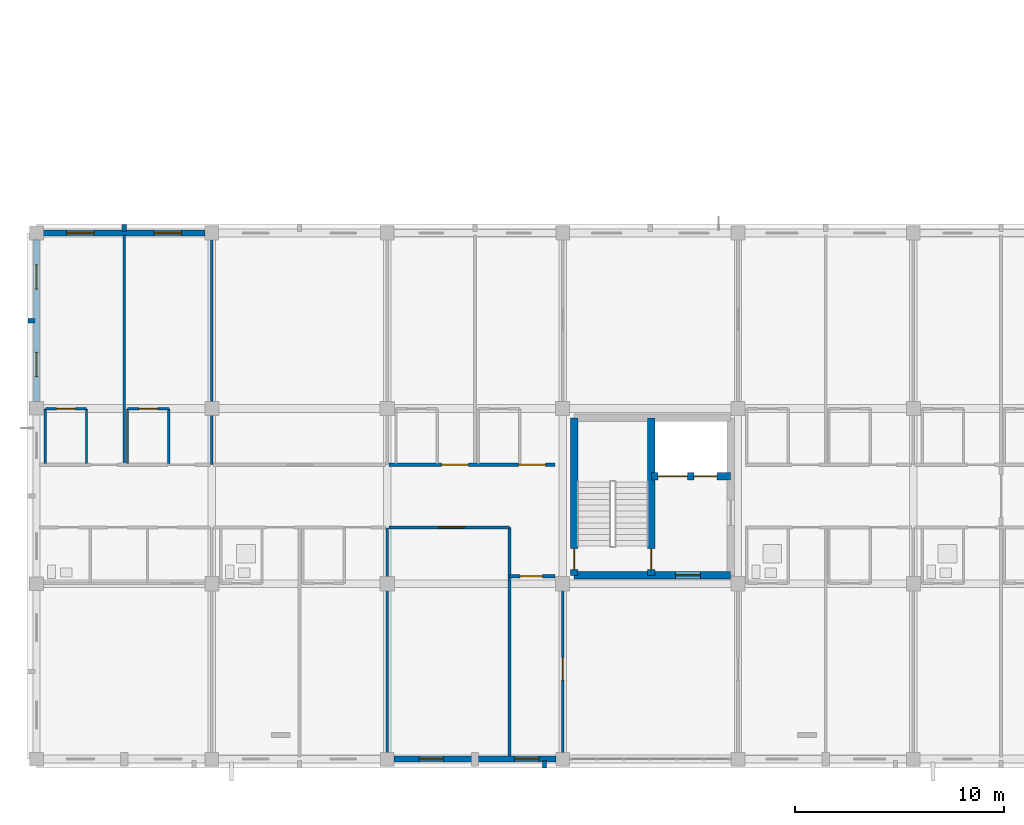
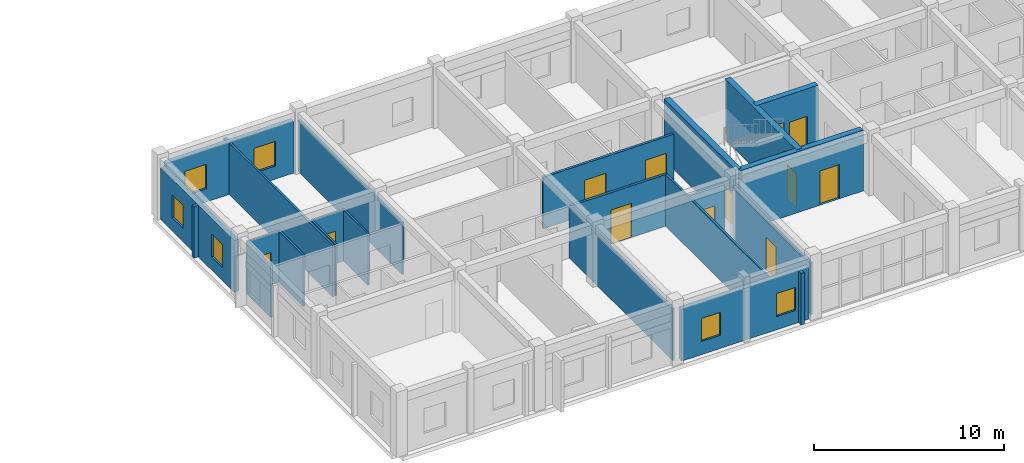
# One storey, part 60 of 90: 24 walls, 12 doors, 6 windows, 18 openings.
"""IFC4 building model written with IfcOpenShell, lengths in metres."""

from ifc_helpers import new_model, si_unit, direction, frame, frame_2d, origin, place, context, subcontext, project, spatial, rectangle, extrude, material, layer, layer_set, type_object, element, fill, save


model = new_model("IFC4")

# Units and contexts
model_context = context("Model", 3, precision=1e-05, world=origin(), true_north=direction((0.0, 1.0)))
body_context = subcontext(model_context, "Body", "Model", "MODEL_VIEW")
ifc_project = project(units=[si_unit("LENGTHUNIT", "METRE"), si_unit("AREAUNIT", "SQUARE_METRE"), si_unit("VOLUMEUNIT", "CUBIC_METRE"), si_unit("PLANEANGLEUNIT", "RADIAN"), si_unit("MASSUNIT", "GRAM", prefix="KILO")], contexts=[model_context])

# Site, building, storey
site_placement = place(None, origin())
site = spatial("IfcSite", under=ifc_project, at=site_placement, CompositionType="ELEMENT")
building_placement = place(site_placement, origin())
building = spatial("IfcBuilding", under=site, at=building_placement, Name="Trelvath General Hospital", CompositionType="ELEMENT")
storey_placement = place(building_placement, frame((0.0, 0.0, 20.39990234375)))
storey = spatial("IfcBuildingStorey", under=building, at=storey_placement, Name="L05", CompositionType="ELEMENT", Elevation=20.39990234375)

# Walls
ifc_material_1 = material(Name="Precast concrete C40/50", Category="concrete")
ifc_layer_1 = layer(ifc_material_1, 0.199951171875)
ifc_layer_set_1 = layer_set([ifc_layer_1], Name="Precast concrete C40/50")
wall_type_1 = type_object("IfcWallType", Name="BriseSoleilRib 200", PredefinedType="ELEMENTEDWALL", material=ifc_layer_set_1)
for number, where, z_axis, x_axis, name in (
    (1, (21.0, 25.27490234375, 0.0), (0.0, 0.0, 1.0), (0.0, 1.0, 0.0), "Precast Concrete Brise-Soleil Rib Fin L05-360"),
    (2, (16.72509765625, 21.0, 0.0), (0.0, 0.0, 1.0), (-1.0, 0.0, 0.0), "Precast Concrete Brise-Soleil Rib Fin L05-361"),
    (3, (41.13671875, -0.074951171875, 0.0), (0.0, 0.0, 1.0), (0.0, -1.0, 0.0), "Precast Concrete Brise-Soleil Rib Fin L05-364"),
):
    element("IfcWall", number, at=place(storey_placement, frame(where, z_axis=z_axis, x_axis=x_axis)), inside=storey, type_object=wall_type_1, Name=name, PredefinedType="ELEMENTEDWALL", context=body_context, shape_type="SweptSolid", body=[
        extrude(rectangle(XDim=0.340087890625, YDim=0.199951171875, at=frame_2d((0.169921875, 0.0))), origin(), (0.0, 0.0, 1.0), 3.320068359375),
    ])

# Wall, opening, door
ifc_material_2 = material(Name="Gypsum acoustic steel-stud partition", Category="steel")
ifc_layer_2 = layer(ifc_material_2, 0.14990234375)
ifc_layer_set_2 = layer_set([ifc_layer_2], Name="Gypsum acoustic steel-stud partition")
wall_type_2 = type_object("IfcWallType", Name="ClinicalPartition 150", PredefinedType="PARTITIONING", material=ifc_layer_set_2)
wall_1_placement = place(storey_placement, frame((33.679931640625, 11.10009765625, 0.0), z_axis=(0.0, 0.0, 1.0), x_axis=(1.0, 0.0, 0.0)))
wall_1 = element("IfcWall", 4, at=wall_1_placement, inside=storey, type_object=wall_type_2, Name="Nurse Station Partition L05-1744", PredefinedType="PARTITIONING", context=body_context, shape_type="SweptSolid", body=[
    extrude(rectangle(XDim=5.780029296875, YDim=0.14990234375, at=frame_2d((2.89013671875, 0.0))), origin(), (0.0, 0.0, 1.0), 3.320068359375),
])
opening_1_placement = place(wall_1_placement, frame((2.3798828125, 0.0, 0.0)))
opening_1 = element("IfcOpeningElement", 5, at=opening_1_placement, cuts=wall_1, Name="Opening D-5-1162", PredefinedType="OPENING", context=body_context, shape_type="SweptSolid", body=[
    extrude(rectangle(XDim=1.25, YDim=2.199951171875, at=frame_2d((0.625, 1.10009765625))), frame((0.0, 0.0849609375, 0.0), z_axis=(0.0, -1.0, 0.0), x_axis=(1.0, 0.0, 0.0)), (0.0, 0.0, 1.0), 0.169921875),
])
ifc_material_3 = material(Name="Acoustic hospital timber leaf", Category="wood")
door_type_1 = type_object("IfcDoorType", Name="Door Treatment 1250x2200", OperationType="NOTDEFINED", PredefinedType="DOOR", material=ifc_material_3)
door_1_placement = place(opening_1_placement, origin())
door_1 = element("IfcDoor", 6, at=door_1_placement, inside=storey, type_object=door_type_1, Name="Nurse Station Door L05-1162", OperationType="SINGLE_SWING_LEFT", OverallHeight=2.199951171875, OverallWidth=1.25, PredefinedType="DOOR", context=body_context, shape_type="SweptSolid", body=[
    extrude(rectangle(XDim=1.25, YDim=2.199951171875, at=frame_2d((0.625, 1.10009765625))), frame((0.0, 0.02490234375, 0.0), z_axis=(0.0, -1.0, 0.0), x_axis=(1.0, 0.0, 0.0)), (0.0, 0.0, 1.0), 0.050048828125),
])
fill(opening_1, door_1)

wall_2_placement = place(storey_placement, frame((39.4599609375, 8.760009765625, 0.0), z_axis=(0.0, 0.0, 1.0), x_axis=(1.0, 0.0, 0.0)))
wall_2 = element("IfcWall", 7, at=wall_2_placement, inside=storey, type_object=wall_type_2, Name="Clean Utility Partition L05-1746", PredefinedType="PARTITIONING", context=body_context, shape_type="SweptSolid", body=[
    extrude(rectangle(XDim=2.179931640625, YDim=0.14990234375, at=frame_2d((1.08984375, 0.0))), origin(), (0.0, 0.0, 1.0), 3.320068359375),
])
opening_2_placement = place(wall_2_placement, frame((0.5, 0.0, 0.0)))
opening_2 = element("IfcOpeningElement", 8, at=opening_2_placement, cuts=wall_2, Name="Opening D-5-1163", PredefinedType="OPENING", context=body_context, shape_type="SweptSolid", body=[
    extrude(rectangle(XDim=1.080078125, YDim=2.14990234375, at=frame_2d((0.5400390625, 1.074951171875))), frame((0.0, 0.0849609375, 0.0), z_axis=(0.0, -1.0, 0.0), x_axis=(1.0, 0.0, 0.0)), (0.0, 0.0, 1.0), 0.169921875),
])
ifc_material_4 = material(Name="Acoustic hospital timber leaf", Category="wood")
door_type_2 = type_object("IfcDoorType", Name="Door CleanSupply 1080x2150", OperationType="NOTDEFINED", PredefinedType="DOOR", material=ifc_material_4)
door_2_placement = place(opening_2_placement, origin())
door_2 = element("IfcDoor", 9, at=door_2_placement, inside=storey, type_object=door_type_2, Name="Clean Utility Door L05-1163", OperationType="SINGLE_SWING_RIGHT", OverallHeight=2.14990234375, OverallWidth=1.080078125, PredefinedType="DOOR", context=body_context, shape_type="SweptSolid", body=[
    extrude(rectangle(XDim=1.080078125, YDim=2.14990234375, at=frame_2d((0.5400390625, 1.074951171875))), frame((0.0, 0.02490234375, 0.0), z_axis=(0.0, -1.0, 0.0), x_axis=(1.0, 0.0, 0.0)), (0.0, 0.0, 1.0), 0.050048828125),
])
fill(opening_2, door_2)

# Wall, openings, doors
wall_3_placement = place(storey_placement, frame((41.639892578125, 14.10009765625, 0.0), z_axis=(0.0, 0.0, 1.0), x_axis=(-1.0, 0.0, 0.0)))
wall_3 = element("IfcWall", 10, at=wall_3_placement, inside=storey, type_object=wall_type_2, Name="Corridor Partition N L05-1747", PredefinedType="PARTITIONING", context=body_context, shape_type="SweptSolid", body=[
    extrude(rectangle(XDim=7.9599609375, YDim=0.14990234375, at=frame_2d((3.97998046875, 0.0))), origin(), (0.0, 0.0, 1.0), 3.320068359375),
])
opening_3_placement = place(wall_3_placement, frame((0.449951171875, 0.0, 0.0)))
opening_3 = element("IfcOpeningElement", 11, at=opening_3_placement, cuts=wall_3, Name="Opening D-5-1164", PredefinedType="OPENING", context=body_context, shape_type="SweptSolid", body=[
    extrude(rectangle(XDim=1.300048828125, YDim=2.25, at=frame_2d((0.64990234375, 1.125))), frame((0.0, 0.0849609375, 0.0), z_axis=(0.0, -1.0, 0.0), x_axis=(1.0, 0.0, 0.0)), (0.0, 0.0, 1.0), 0.169921875),
])
opening_4_placement = place(wall_3_placement, frame((4.14990234375, 0.0, 0.0)))
opening_4 = element("IfcOpeningElement", 12, at=opening_4_placement, cuts=wall_3, Name="Opening D-5-1165", PredefinedType="OPENING", context=body_context, shape_type="SweptSolid", body=[
    extrude(rectangle(XDim=1.300048828125, YDim=2.25, at=frame_2d((0.64990234375, 1.125))), frame((0.0, 0.0849609375, 0.0), z_axis=(0.0, -1.0, 0.0), x_axis=(1.0, 0.0, 0.0)), (0.0, 0.0, 1.0), 0.169921875),
])
ifc_material_5 = material(Name="Hospital bed-leaf timber door", Category="wood")
door_type_3 = type_object("IfcDoorType", Name="Door PatientBed 1300x2250", OperationType="NOTDEFINED", PredefinedType="DOOR", material=ifc_material_5)
door_3_placement = place(opening_3_placement, origin())
door_3 = element("IfcDoor", 13, at=door_3_placement, inside=storey, type_object=door_type_3, Name="Patient Room Door N L05-1164", OperationType="SINGLE_SWING_LEFT", OverallHeight=2.25, OverallWidth=1.300048828125, PredefinedType="DOOR", context=body_context, shape_type="SweptSolid", body=[
    extrude(rectangle(XDim=1.300048828125, YDim=2.25, at=frame_2d((0.64990234375, 1.125))), frame((0.0, 0.02490234375, 0.0), z_axis=(0.0, -1.0, 0.0), x_axis=(1.0, 0.0, 0.0)), (0.0, 0.0, 1.0), 0.050048828125),
])
fill(opening_3, door_3)
door_4_placement = place(opening_4_placement, origin())
door_4 = element("IfcDoor", 14, at=door_4_placement, inside=storey, type_object=door_type_3, Name="Patient Room Door N L05-1165", OperationType="SINGLE_SWING_LEFT", OverallHeight=2.25, OverallWidth=1.300048828125, PredefinedType="DOOR", context=body_context, shape_type="SweptSolid", body=[
    extrude(rectangle(XDim=1.300048828125, YDim=2.25, at=frame_2d((0.64990234375, 1.125))), frame((0.0, 0.02490234375, 0.0), z_axis=(0.0, -1.0, 0.0), x_axis=(1.0, 0.0, 0.0)), (0.0, 0.0, 1.0), 0.050048828125),
])
fill(opening_4, door_4)

# Wall, opening, door
ifc_material_6 = material(Name="Concrete C40/50", Category="concrete")
ifc_layer_3 = layer(ifc_material_6, 0.35009765625)
ifc_layer_set_3 = layer_set([ifc_layer_3], Name="Concrete C40/50")
wall_type_3 = type_object("IfcWallType", Name="CoreShearWall 350", PredefinedType="SHEAR", material=ifc_layer_set_3)
wall_4_placement = place(storey_placement, frame((42.550048828125, 8.800048828125, 0.0), z_axis=(0.0, 0.0, 1.0), x_axis=(1.0, 0.0, 0.0)))
wall_4 = element("IfcWall", 15, at=wall_4_placement, inside=storey, type_object=wall_type_3, Name="Core Shear Wall C4 S L05", PredefinedType="SHEAR", context=body_context, shape_type="SweptSolid", body=[
    extrude(rectangle(XDim=7.5, YDim=0.35009765625, at=frame_2d((3.75, 0.0))), origin(), (0.0, 0.0, 1.0), 3.920166015625),
])
opening_5_placement = place(wall_4_placement, frame((4.85009765625, 0.0, 0.0)))
opening_5 = element("IfcOpeningElement", 16, at=opening_5_placement, cuts=wall_4, Name="Opening FD-LS45", PredefinedType="OPENING", context=body_context, shape_type="SweptSolid", body=[
    extrude(rectangle(XDim=1.199951171875, YDim=2.199951171875, at=frame_2d((0.60009765625, 1.10009765625))), frame((0.0, 0.18505859375, 0.0), z_axis=(0.0, -1.0, 0.0), x_axis=(1.0, 0.0, 0.0)), (0.0, 0.0, 1.0), 0.3701171875),
])
ifc_material_7 = material(Name="Fire-rated steel door", Category="steel")
door_type_4 = type_object("IfcDoorType", Name="Door FireLobby 1200x2200", OperationType="NOTDEFINED", PredefinedType="DOOR", material=ifc_material_7)
door_5_placement = place(opening_5_placement, origin())
door_5 = element("IfcDoor", 17, at=door_5_placement, inside=storey, type_object=door_type_4, Name="Fire Lobby South Door C4 L05", OperationType="SINGLE_SWING_LEFT", OverallHeight=2.199951171875, OverallWidth=1.199951171875, PredefinedType="DOOR", context=body_context, shape_type="SweptSolid", body=[
    extrude(rectangle(XDim=1.199951171875, YDim=2.199951171875, at=frame_2d((0.60009765625, 1.10009765625))), frame((0.0, 0.02490234375, 0.0), z_axis=(0.0, -1.0, 0.0), x_axis=(1.0, 0.0, 0.0)), (0.0, 0.0, 1.0), 0.050048828125),
])
fill(opening_5, door_5)

wall_5_placement = place(storey_placement, frame((42.550048828125, 8.800048828125, 0.0), z_axis=(0.0, 0.0, 1.0), x_axis=(0.0, 1.0, 0.0)))
wall_5 = element("IfcWall", 18, at=wall_5_placement, inside=storey, type_object=wall_type_3, Name="Core Shear Wall C4 W L05", PredefinedType="SHEAR", context=body_context, shape_type="SweptSolid", body=[
    extrude(rectangle(XDim=7.550048828125, YDim=0.35009765625, at=frame_2d((3.77490234375, 0.0))), origin(), (0.0, 0.0, 1.0), 3.920166015625),
])
opening_6_placement = place(wall_5_placement, frame((0.280029296875, 0.0, 0.0)))
opening_6 = element("IfcOpeningElement", 19, at=opening_6_placement, cuts=wall_5, Name="Opening FD-SW45", PredefinedType="OPENING", context=body_context, shape_type="SweptSolid", body=[
    extrude(rectangle(XDim=1.0, YDim=2.14990234375, at=frame_2d((0.5, 1.074951171875))), frame((0.0, 0.18505859375, 0.0), z_axis=(0.0, -1.0, 0.0), x_axis=(1.0, 0.0, 0.0)), (0.0, 0.0, 1.0), 0.3701171875),
])
ifc_material_8 = material(Name="Fire-rated steel door", Category="steel")
door_type_5 = type_object("IfcDoorType", Name="Door FireStair 1100x2150", OperationType="NOTDEFINED", PredefinedType="DOOR", material=ifc_material_8)
door_6_placement = place(opening_6_placement, origin())
door_6 = element("IfcDoor", 20, at=door_6_placement, inside=storey, type_object=door_type_5, Name="West Corridor Stair Door ST4 L05", OperationType="SINGLE_SWING_RIGHT", OverallHeight=2.14990234375, OverallWidth=1.0, PredefinedType="DOOR", context=body_context, shape_type="SweptSolid", body=[
    extrude(rectangle(XDim=1.0, YDim=2.14990234375, at=frame_2d((0.5, 1.074951171875))), frame((0.0, 0.02490234375, 0.0), z_axis=(0.0, -1.0, 0.0), x_axis=(1.0, 0.0, 0.0)), (0.0, 0.0, 1.0), 0.050048828125),
])
fill(opening_6, door_6)

wall_6_placement = place(storey_placement, frame((46.25, 8.800048828125, 0.0), z_axis=(0.0, 0.0, 1.0), x_axis=(0.0, 1.0, 0.0)))
wall_6 = element("IfcWall", 21, at=wall_6_placement, inside=storey, type_object=wall_type_3, Name="Core Shear Wall C4 SPINE L05", PredefinedType="SHEAR", context=body_context, shape_type="SweptSolid", body=[
    extrude(rectangle(XDim=7.550048828125, YDim=0.35009765625, at=frame_2d((3.77490234375, 0.0))), origin(), (0.0, 0.0, 1.0), 3.920166015625),
])
opening_7_placement = place(wall_6_placement, frame((0.280029296875, 0.0, 0.0)))
opening_7 = element("IfcOpeningElement", 22, at=opening_7_placement, cuts=wall_6, Name="Opening FD-S45", PredefinedType="OPENING", context=body_context, shape_type="SweptSolid", body=[
    extrude(rectangle(XDim=1.0, YDim=2.14990234375, at=frame_2d((0.5, 1.074951171875))), frame((0.0, 0.18505859375, 0.0), z_axis=(0.0, -1.0, 0.0), x_axis=(1.0, 0.0, 0.0)), (0.0, 0.0, 1.0), 0.3701171875),
])
door_7_placement = place(opening_7_placement, origin())
door_7 = element("IfcDoor", 23, at=door_7_placement, inside=storey, type_object=door_type_5, Name="Exit Stair Door ST4 L05", OperationType="SINGLE_SWING_LEFT", OverallHeight=2.14990234375, OverallWidth=1.0, PredefinedType="DOOR", context=body_context, shape_type="SweptSolid", body=[
    extrude(rectangle(XDim=1.0, YDim=2.14990234375, at=frame_2d((0.5, 1.074951171875))), frame((0.0, 0.02490234375, 0.0), z_axis=(0.0, -1.0, 0.0), x_axis=(1.0, 0.0, 0.0)), (0.0, 0.0, 1.0), 0.050048828125),
])
fill(opening_7, door_7)

# Wall, openings, doors
wall_7_placement = place(storey_placement, frame((46.25, 13.550048828125, 0.0), z_axis=(0.0, 0.0, 1.0), x_axis=(1.0, 0.0, 0.0)))
wall_7 = element("IfcWall", 24, at=wall_7_placement, inside=storey, type_object=wall_type_3, Name="Core Shear Wall C4 SHAFT L05", PredefinedType="SHEAR", context=body_context, shape_type="SweptSolid", body=[
    extrude(rectangle(XDim=3.800048828125, YDim=0.35009765625, at=frame_2d((1.89990234375, 0.0))), origin(), (0.0, 0.0, 1.0), 3.920166015625),
])
opening_8_placement = place(wall_7_placement, frame((0.320068359375, 0.0, 0.0)))
opening_8 = element("IfcOpeningElement", 25, at=opening_8_placement, cuts=wall_7, Name="Opening LD-BD3-5", PredefinedType="OPENING", context=body_context, shape_type="SweptSolid", body=[
    extrude(rectangle(XDim=1.39990234375, YDim=2.25, at=frame_2d((0.699951171875, 1.125))), frame((0.0, 0.18505859375, 0.0), z_axis=(0.0, -1.0, 0.0), x_axis=(1.0, 0.0, 0.0)), (0.0, 0.0, 1.0), 0.3701171875),
])
opening_9_placement = place(wall_7_placement, frame((2.0400390625, 0.0, 0.0)))
opening_9 = element("IfcOpeningElement", 26, at=opening_9_placement, cuts=wall_7, Name="Opening LD-PA1-5", PredefinedType="OPENING", context=body_context, shape_type="SweptSolid", body=[
    extrude(rectangle(XDim=1.10009765625, YDim=2.14990234375, at=frame_2d((0.550048828125, 1.074951171875))), frame((0.0, 0.18505859375, 0.0), z_axis=(0.0, -1.0, 0.0), x_axis=(1.0, 0.0, 0.0)), (0.0, 0.0, 1.0), 0.3701171875),
])
ifc_material_9 = material(Name="Stainless steel stretcher lift landing door", Category="steel")
door_type_6 = type_object("IfcDoorType", Name="Door LiftBed 1400x2250", OperationType="SLIDING_TO_LEFT", PredefinedType="DOOR", material=ifc_material_9)
door_8_placement = place(opening_8_placement, origin())
door_8 = element("IfcDoor", 27, at=door_8_placement, inside=storey, type_object=door_type_6, Name="Lift Landing Sliding Door LF-BD3 L05", OperationType="SLIDING_TO_LEFT", OverallHeight=2.25, OverallWidth=1.39990234375, PredefinedType="DOOR", context=body_context, shape_type="SweptSolid", body=[
    extrude(rectangle(XDim=1.39990234375, YDim=2.25, at=frame_2d((0.699951171875, 1.125))), frame((0.0, 0.02490234375, 0.0), z_axis=(0.0, -1.0, 0.0), x_axis=(1.0, 0.0, 0.0)), (0.0, 0.0, 1.0), 0.050048828125),
])
fill(opening_8, door_8)
ifc_material_10 = material(Name="Stainless steel lift landing sliding door", Category="steel")
door_type_7 = type_object("IfcDoorType", Name="Door LiftLanding 1100x2150", OperationType="SLIDING_TO_LEFT", PredefinedType="DOOR", material=ifc_material_10)
door_9_placement = place(opening_9_placement, origin())
door_9 = element("IfcDoor", 28, at=door_9_placement, inside=storey, type_object=door_type_7, Name="Lift Landing Sliding Door LF-PA1 L05", OperationType="SLIDING_TO_LEFT", OverallHeight=2.14990234375, OverallWidth=1.10009765625, PredefinedType="DOOR", context=body_context, shape_type="SweptSolid", body=[
    extrude(rectangle(XDim=1.10009765625, YDim=2.14990234375, at=frame_2d((0.550048828125, 1.074951171875))), frame((0.0, 0.02490234375, 0.0), z_axis=(0.0, -1.0, 0.0), x_axis=(1.0, 0.0, 0.0)), (0.0, 0.0, 1.0), 0.050048828125),
])
fill(opening_9, door_9)

# Walls
ifc_material_11 = material(Name="Moisture-resistant tile partition")
ifc_layer_4 = layer(ifc_material_11, 0.110107421875)
ifc_layer_set_4 = layer_set([ifc_layer_4], Name="Moisture-resistant tile partition")
wall_type_4 = type_object("IfcWallType", Name="EnSuiteWetWall 110", PredefinedType="PARTITIONING", material=ifc_layer_set_4)
for number, where, z_axis, x_axis, name in (
    (29, (17.219970703125, 14.169921875, 0.0), (0.0, 0.0, 1.0), (0.0, 1.0, 0.0), "En-Suite W Wall N L05-1724"),
    (30, (19.199951171875, 14.169921875, 0.0), (0.0, 0.0, 1.0), (0.0, 1.0, 0.0), "En-Suite E Wall N L05-1725"),
):
    element("IfcWall", number, at=place(storey_placement, frame(where, z_axis=z_axis, x_axis=x_axis)), inside=storey, type_object=wall_type_4, Name=name, PredefinedType="PARTITIONING", context=body_context, shape_type="SweptSolid", body=[
        extrude(rectangle(XDim=2.610107421875, YDim=0.110107421875, at=frame_2d((1.30517578125, 0.0))), origin(), (0.0, 0.0, 1.0), 3.320068359375),
    ])

# Wall, opening, door
wall_8_placement = place(storey_placement, frame((17.219970703125, 16.780029296875, 0.0), z_axis=(0.0, 0.0, 1.0), x_axis=(1.0, 0.0, 0.0)))
wall_8 = element("IfcWall", 31, at=wall_8_placement, inside=storey, type_object=wall_type_4, Name="En-Suite Bathroom N Partition L05-1726", PredefinedType="PARTITIONING", context=body_context, shape_type="SweptSolid", body=[
    extrude(rectangle(XDim=1.97998046875, YDim=0.110107421875, at=frame_2d((0.989990234375, 0.0))), origin(), (0.0, 0.0, 1.0), 3.320068359375),
])
opening_10_placement = place(wall_8_placement, frame((0.5400390625, 0.0, 0.0)))
opening_10 = element("IfcOpeningElement", 32, at=opening_10_placement, cuts=wall_8, Name="Opening D-5-1155", PredefinedType="OPENING", context=body_context, shape_type="SweptSolid", body=[
    extrude(rectangle(XDim=0.89990234375, YDim=2.10009765625, at=frame_2d((0.449951171875, 1.050048828125))), frame((0.0, 0.06494140625, 0.0), z_axis=(0.0, -1.0, 0.0), x_axis=(1.0, 0.0, 0.0)), (0.0, 0.0, 1.0), 0.130126953125),
])
ifc_material_12 = material(Name="Moisture-sealed timber leaf", Category="wood")
door_type_8 = type_object("IfcDoorType", Name="Door EnSuite 900x2100", OperationType="NOTDEFINED", PredefinedType="DOOR", material=ifc_material_12)
door_10_placement = place(opening_10_placement, origin())
door_10 = element("IfcDoor", 33, at=door_10_placement, inside=storey, type_object=door_type_8, Name="En-Suite Bathroom N Door L05-1155", OperationType="SINGLE_SWING_RIGHT", OverallHeight=2.10009765625, OverallWidth=0.89990234375, PredefinedType="DOOR", context=body_context, shape_type="SweptSolid", body=[
    extrude(rectangle(XDim=0.89990234375, YDim=2.10009765625, at=frame_2d((0.449951171875, 1.050048828125))), frame((0.0, 0.02490234375, 0.0), z_axis=(0.0, -1.0, 0.0), x_axis=(1.0, 0.0, 0.0)), (0.0, 0.0, 1.0), 0.050048828125),
])
fill(opening_10, door_10)

# Walls
for number, where, z_axis, x_axis, name in (
    (34, (21.159912109375, 14.169921875, 0.0), (0.0, 0.0, 1.0), (0.0, 1.0, 0.0), "En-Suite W Wall N L05-1727"),
    (35, (23.139892578125, 14.169921875, 0.0), (0.0, 0.0, 1.0), (0.0, 1.0, 0.0), "En-Suite E Wall N L05-1728"),
):
    element("IfcWall", number, at=place(storey_placement, frame(where, z_axis=z_axis, x_axis=x_axis)), inside=storey, type_object=wall_type_4, Name=name, PredefinedType="PARTITIONING", context=body_context, shape_type="SweptSolid", body=[
        extrude(rectangle(XDim=2.610107421875, YDim=0.110107421875, at=frame_2d((1.30517578125, 0.0))), origin(), (0.0, 0.0, 1.0), 3.320068359375),
    ])

# Wall, opening, door
wall_9_placement = place(storey_placement, frame((21.159912109375, 16.780029296875, 0.0), z_axis=(0.0, 0.0, 1.0), x_axis=(1.0, 0.0, 0.0)))
wall_9 = element("IfcWall", 36, at=wall_9_placement, inside=storey, type_object=wall_type_4, Name="En-Suite Bathroom N Partition L05-1729", PredefinedType="PARTITIONING", context=body_context, shape_type="SweptSolid", body=[
    extrude(rectangle(XDim=1.97998046875, YDim=0.110107421875, at=frame_2d((0.989990234375, 0.0))), origin(), (0.0, 0.0, 1.0), 3.320068359375),
])
opening_11_placement = place(wall_9_placement, frame((0.5400390625, 0.0, 0.0)))
opening_11 = element("IfcOpeningElement", 37, at=opening_11_placement, cuts=wall_9, Name="Opening D-5-1156", PredefinedType="OPENING", context=body_context, shape_type="SweptSolid", body=[
    extrude(rectangle(XDim=0.89990234375, YDim=2.10009765625, at=frame_2d((0.449951171875, 1.050048828125))), frame((0.0, 0.06494140625, 0.0), z_axis=(0.0, -1.0, 0.0), x_axis=(1.0, 0.0, 0.0)), (0.0, 0.0, 1.0), 0.130126953125),
])
door_11_placement = place(opening_11_placement, origin())
door_11 = element("IfcDoor", 38, at=door_11_placement, inside=storey, type_object=door_type_8, Name="En-Suite Bathroom N Door L05-1156", OperationType="SINGLE_SWING_LEFT", OverallHeight=2.10009765625, OverallWidth=0.89990234375, PredefinedType="DOOR", context=body_context, shape_type="SweptSolid", body=[
    extrude(rectangle(XDim=0.89990234375, YDim=2.10009765625, at=frame_2d((0.449951171875, 1.050048828125))), frame((0.0, 0.02490234375, 0.0), z_axis=(0.0, -1.0, 0.0), x_axis=(1.0, 0.0, 0.0)), (0.0, 0.0, 1.0), 0.050048828125),
])
fill(opening_11, door_11)

# Wall, openings, windows
ifc_material_13 = material(Name="Concrete C35/45", Category="concrete")
ifc_layer_5 = layer(ifc_material_13, 0.2900390625)
ifc_layer_set_5 = layer_set([ifc_layer_5], Name="Concrete C35/45")
wall_type_5 = type_object("IfcWallType", Name="ExtBushHammeredWall 290", PredefinedType="SOLIDWALL", material=ifc_layer_set_5)
wall_10_placement = place(storey_placement, frame((17.1201171875, 25.199951171875, 0.0), z_axis=(0.0, 0.0, 1.0), x_axis=(1.0, 0.0, 0.0)))
wall_10 = element("IfcWall", 39, at=wall_10_placement, inside=storey, type_object=wall_type_5, Name="Exterior Concrete Wall L05-491", PredefinedType="SOLIDWALL", context=body_context, shape_type="SweptSolid", body=[
    extrude(rectangle(XDim=7.759765625, YDim=0.2900390625, at=frame_2d((3.8798828125, 0.0))), origin(), (0.0, 0.0, 1.0), 3.340087890625),
])
opening_12_placement = place(wall_10_placement, frame((1.124755859375, 0.0, 0.85009765625)))
opening_12 = element("IfcOpeningElement", 40, at=opening_12_placement, cuts=wall_10, Name="Opening WN-5-809", PredefinedType="OPENING", context=body_context, shape_type="SweptSolid", body=[
    extrude(rectangle(XDim=1.320068359375, YDim=1.580078125, at=frame_2d((0.66015625, 0.7900390625))), frame((0.0, 0.155029296875, 0.0), z_axis=(0.0, -1.0, 0.0), x_axis=(1.0, 0.0, 0.0)), (0.0, 0.0, 1.0), 0.31005859375),
])
opening_13_placement = place(wall_10_placement, frame((5.315185546875, 0.0, 0.85009765625)))
opening_13 = element("IfcOpeningElement", 41, at=opening_13_placement, cuts=wall_10, Name="Opening WN-5-810", PredefinedType="OPENING", context=body_context, shape_type="SweptSolid", body=[
    extrude(rectangle(XDim=1.320068359375, YDim=1.580078125, at=frame_2d((0.66015625, 0.7900390625))), frame((0.0, 0.155029296875, 0.0), z_axis=(0.0, -1.0, 0.0), x_axis=(1.0, 0.0, 0.0)), (0.0, 0.0, 1.0), 0.31005859375),
])
ifc_material_14 = material(Name="Low-E laminated glass", Category="glass")
window_type_1 = type_object("IfcWindowType", Name="Window Pediatrics 1320x1580", PartitioningType="DOUBLE_PANEL_VERTICAL", PredefinedType="WINDOW", material=ifc_material_14)
window_1_placement = place(opening_12_placement, origin())
window_1 = element("IfcWindow", 42, at=window_1_placement, inside=storey, type_object=window_type_1, Name="Solar Reveal Window L05-809", OverallHeight=1.580078125, OverallWidth=1.320068359375, PartitioningType="SINGLE_PANEL", PredefinedType="WINDOW", context=body_context, shape_type="SweptSolid", body=[
    extrude(rectangle(XDim=1.320068359375, YDim=1.580078125, at=frame_2d((0.66015625, 0.7900390625))), frame((0.0, 0.030029296875, 0.0), z_axis=(0.0, -1.0, 0.0), x_axis=(1.0, 0.0, 0.0)), (0.0, 0.0, 1.0), 0.06005859375),
])
fill(opening_12, window_1)
window_2_placement = place(opening_13_placement, origin())
window_2 = element("IfcWindow", 43, at=window_2_placement, inside=storey, type_object=window_type_1, Name="Solar Reveal Window L05-810", OverallHeight=1.580078125, OverallWidth=1.320068359375, PartitioningType="SINGLE_PANEL", PredefinedType="WINDOW", context=body_context, shape_type="SweptSolid", body=[
    extrude(rectangle(XDim=1.320068359375, YDim=1.580078125, at=frame_2d((0.66015625, 0.7900390625))), frame((0.0, 0.030029296875, 0.0), z_axis=(0.0, -1.0, 0.0), x_axis=(1.0, 0.0, 0.0)), (0.0, 0.0, 1.0), 0.06005859375),
])
fill(opening_13, window_2)

wall_11_placement = place(storey_placement, frame((16.800048828125, 17.1201171875, 0.0), z_axis=(0.0, 0.0, 1.0), x_axis=(0.0, 1.0, 0.0)))
wall_11 = element("IfcWall", 44, at=wall_11_placement, inside=storey, type_object=wall_type_5, Name="Exterior Concrete Wall L05-492", PredefinedType="SOLIDWALL", context=body_context, shape_type="SweptSolid", body=[
    extrude(rectangle(XDim=7.759765625, YDim=0.2900390625, at=frame_2d((3.8798828125, 0.0))), origin(), (0.0, 0.0, 1.0), 3.340087890625),
])
opening_14_placement = place(wall_11_placement, frame((1.204833984375, 0.0, 0.85009765625)))
opening_14 = element("IfcOpeningElement", 45, at=opening_14_placement, cuts=wall_11, Name="Opening WN-5-811", PredefinedType="OPENING", context=body_context, shape_type="SweptSolid", body=[
    extrude(rectangle(XDim=1.159912109375, YDim=1.47998046875, at=frame_2d((0.580078125, 0.739990234375))), frame((0.0, 0.155029296875, 0.0), z_axis=(0.0, -1.0, 0.0), x_axis=(1.0, 0.0, 0.0)), (0.0, 0.0, 1.0), 0.31005859375),
])
opening_15_placement = place(wall_11_placement, frame((5.395263671875, 0.0, 0.85009765625)))
opening_15 = element("IfcOpeningElement", 46, at=opening_15_placement, cuts=wall_11, Name="Opening WN-5-812", PredefinedType="OPENING", context=body_context, shape_type="SweptSolid", body=[
    extrude(rectangle(XDim=1.159912109375, YDim=1.47998046875, at=frame_2d((0.580078125, 0.739990234375))), frame((0.0, 0.155029296875, 0.0), z_axis=(0.0, -1.0, 0.0), x_axis=(1.0, 0.0, 0.0)), (0.0, 0.0, 1.0), 0.31005859375),
])
ifc_material_15 = material(Name="Low-E laminated glass", Category="glass")
window_type_2 = type_object("IfcWindowType", Name="Window Cardiology 1160x1480", PartitioningType="SINGLE_PANEL", PredefinedType="WINDOW", material=ifc_material_15)
window_3_placement = place(opening_14_placement, origin())
window_3 = element("IfcWindow", 47, at=window_3_placement, inside=storey, type_object=window_type_2, Name="Solar Reveal Window L05-811", OverallHeight=1.47998046875, OverallWidth=1.159912109375, PartitioningType="SINGLE_PANEL", PredefinedType="WINDOW", context=body_context, shape_type="SweptSolid", body=[
    extrude(rectangle(XDim=1.159912109375, YDim=1.47998046875, at=frame_2d((0.580078125, 0.739990234375))), frame((0.0, 0.030029296875, 0.0), z_axis=(0.0, -1.0, 0.0), x_axis=(1.0, 0.0, 0.0)), (0.0, 0.0, 1.0), 0.06005859375),
])
fill(opening_14, window_3)
window_4_placement = place(opening_15_placement, origin())
window_4 = element("IfcWindow", 48, at=window_4_placement, inside=storey, type_object=window_type_2, Name="Solar Reveal Window L05-812", OverallHeight=1.47998046875, OverallWidth=1.159912109375, PartitioningType="SINGLE_PANEL", PredefinedType="WINDOW", context=body_context, shape_type="SweptSolid", body=[
    extrude(rectangle(XDim=1.159912109375, YDim=1.47998046875, at=frame_2d((0.580078125, 0.739990234375))), frame((0.0, 0.030029296875, 0.0), z_axis=(0.0, -1.0, 0.0), x_axis=(1.0, 0.0, 0.0)), (0.0, 0.0, 1.0), 0.06005859375),
])
fill(opening_15, window_4)

wall_12_placement = place(storey_placement, frame((41.679931640625, 0.0, 0.0), z_axis=(0.0, 0.0, 1.0), x_axis=(-1.0, 0.0, 0.0)))
wall_12 = element("IfcWall", 49, at=wall_12_placement, inside=storey, type_object=wall_type_5, Name="Exterior Concrete Wall L05-495", PredefinedType="SOLIDWALL", context=body_context, shape_type="SweptSolid", body=[
    extrude(rectangle(XDim=7.760009765625, YDim=0.2900390625, at=frame_2d((3.8798828125, 0.0))), origin(), (0.0, 0.0, 1.0), 3.340087890625),
])
opening_16_placement = place(wall_12_placement, frame((0.81494140625, 0.0, 0.85009765625)))
opening_16 = element("IfcOpeningElement", 50, at=opening_16_placement, cuts=wall_12, Name="Opening WN-5-817", PredefinedType="OPENING", context=body_context, shape_type="SweptSolid", body=[
    extrude(rectangle(XDim=1.159912109375, YDim=1.47998046875, at=frame_2d((0.580078125, 0.739990234375))), frame((0.0, 0.155029296875, 0.0), z_axis=(0.0, -1.0, 0.0), x_axis=(1.0, 0.0, 0.0)), (0.0, 0.0, 1.0), 0.31005859375),
])
opening_17_placement = place(wall_12_placement, frame((5.395263671875, 0.0, 0.85009765625)))
opening_17 = element("IfcOpeningElement", 51, at=opening_17_placement, cuts=wall_12, Name="Opening WN-5-818", PredefinedType="OPENING", context=body_context, shape_type="SweptSolid", body=[
    extrude(rectangle(XDim=1.159912109375, YDim=1.47998046875, at=frame_2d((0.580078125, 0.739990234375))), frame((0.0, 0.155029296875, 0.0), z_axis=(0.0, -1.0, 0.0), x_axis=(1.0, 0.0, 0.0)), (0.0, 0.0, 1.0), 0.31005859375),
])
window_5_placement = place(opening_16_placement, origin())
window_5 = element("IfcWindow", 52, at=window_5_placement, inside=storey, type_object=window_type_2, Name="Solar Reveal Window L05-817", OverallHeight=1.47998046875, OverallWidth=1.159912109375, PartitioningType="SINGLE_PANEL", PredefinedType="WINDOW", context=body_context, shape_type="SweptSolid", body=[
    extrude(rectangle(XDim=1.159912109375, YDim=1.47998046875, at=frame_2d((0.580078125, 0.739990234375))), frame((0.0, 0.030029296875, 0.0), z_axis=(0.0, -1.0, 0.0), x_axis=(1.0, 0.0, 0.0)), (0.0, 0.0, 1.0), 0.06005859375),
])
fill(opening_16, window_5)
window_6_placement = place(opening_17_placement, origin())
window_6 = element("IfcWindow", 53, at=window_6_placement, inside=storey, type_object=window_type_2, Name="Solar Reveal Window L05-818", OverallHeight=1.47998046875, OverallWidth=1.159912109375, PartitioningType="SINGLE_PANEL", PredefinedType="WINDOW", context=body_context, shape_type="SweptSolid", body=[
    extrude(rectangle(XDim=1.159912109375, YDim=1.47998046875, at=frame_2d((0.580078125, 0.739990234375))), frame((0.0, 0.030029296875, 0.0), z_axis=(0.0, -1.0, 0.0), x_axis=(1.0, 0.0, 0.0)), (0.0, 0.0, 1.0), 0.06005859375),
])
fill(opening_17, window_6)

# Walls
ifc_material_16 = material(Name="Gypsum acoustic steel-stud partition", Category="steel")
ifc_layer_6 = layer(ifc_material_16, 0.1298828125)
ifc_layer_set_6 = layer_set([ifc_layer_6], Name="Gypsum acoustic steel-stud partition")
wall_type_6 = type_object("IfcWallType", Name="WardPartition 130", PredefinedType="PARTITIONING", material=ifc_layer_set_6)
wall_13_placement = place(storey_placement, frame((21.0, 14.169921875, 0.0), z_axis=(0.0, 0.0, 1.0), x_axis=(0.0, 1.0, 0.0)))
element("IfcWall", 54, at=wall_13_placement, inside=storey, type_object=wall_type_6, Name="Room Dividing Partition N L05-1723", PredefinedType="PARTITIONING", context=body_context, shape_type="SweptSolid", body=[
    extrude(rectangle(XDim=10.93017578125, YDim=0.1298828125, at=frame_2d((5.465087890625, 0.0))), origin(), (0.0, 0.0, 1.0), 3.320068359375),
])
wall_14_placement = place(storey_placement, frame((25.199951171875, 14.1201171875, 0.0), z_axis=(0.0, 0.0, 1.0), x_axis=(0.0, 1.0, 0.0)))
element("IfcWall", 55, at=wall_14_placement, inside=storey, type_object=wall_type_6, Name="Inter-Bay Ward Partition N L05-1731", PredefinedType="PARTITIONING", context=body_context, shape_type="SweptSolid", body=[
    extrude(rectangle(XDim=10.93994140625, YDim=0.1298828125, at=frame_2d((5.469970703125, 0.0))), origin(), (0.0, 0.0, 1.0), 3.320068359375),
])
for number, where, z_axis, x_axis, name in (
    (56, (33.60009765625, 0.139892578125, 0.0), (0.0, 0.0, 1.0), (0.0, 1.0, 0.0), "Inter-Bay Ward Partition S L05-1742"),
    (57, (39.4599609375, 0.159912109375, 0.0), (0.0, 0.0, 1.0), (0.0, 1.0, 0.0), "Nurse Alcove Partition L05-1745"),
):
    element("IfcWall", number, at=place(storey_placement, frame(where, z_axis=z_axis, x_axis=x_axis)), inside=storey, type_object=wall_type_6, Name=name, PredefinedType="PARTITIONING", context=body_context, shape_type="SweptSolid", body=[
        extrude(rectangle(XDim=10.940185546875, YDim=0.1298828125, at=frame_2d((5.47021484375, 0.0))), origin(), (0.0, 0.0, 1.0), 3.320068359375),
    ])

# Wall, opening, door
wall_15_placement = place(storey_placement, frame((42.0, 0.139892578125, 0.0), z_axis=(0.0, 0.0, 1.0), x_axis=(0.0, 1.0, 0.0)))
wall_15 = element("IfcWall", 58, at=wall_15_placement, inside=storey, type_object=wall_type_6, Name="Inter-Bay Ward Partition S L05-1755", PredefinedType="PARTITIONING", context=body_context, shape_type="SweptSolid", body=[
    extrude(rectangle(XDim=8.210205078125, YDim=0.1298828125, at=frame_2d((4.10498046875, 0.0))), origin(), (0.0, 0.0, 1.0), 3.320068359375),
])
opening_18_placement = place(wall_15_placement, frame((3.639892578125, 0.0, 0.0)))
opening_18 = element("IfcOpeningElement", 59, at=opening_18_placement, cuts=wall_15, Name="Opening D-5-1168", PredefinedType="OPENING", context=body_context, shape_type="SweptSolid", body=[
    extrude(rectangle(XDim=1.080078125, YDim=2.14990234375, at=frame_2d((0.5400390625, 1.074951171875))), frame((0.0, 0.074951171875, 0.0), z_axis=(0.0, -1.0, 0.0), x_axis=(1.0, 0.0, 0.0)), (0.0, 0.0, 1.0), 0.14990234375),
])
door_12_placement = place(opening_18_placement, origin())
door_12 = element("IfcDoor", 60, at=door_12_placement, inside=storey, type_object=door_type_2, Name="Clean Supply Connecting Door L05-1168", OperationType="SINGLE_SWING_RIGHT", OverallHeight=2.14990234375, OverallWidth=1.080078125, PredefinedType="DOOR", context=body_context, shape_type="SweptSolid", body=[
    extrude(rectangle(XDim=1.080078125, YDim=2.14990234375, at=frame_2d((0.5400390625, 1.074951171875))), frame((0.0, 0.02490234375, 0.0), z_axis=(0.0, -1.0, 0.0), x_axis=(1.0, 0.0, 0.0)), (0.0, 0.0, 1.0), 0.050048828125),
])
fill(opening_18, door_12)

save(model, "model.ifc")
